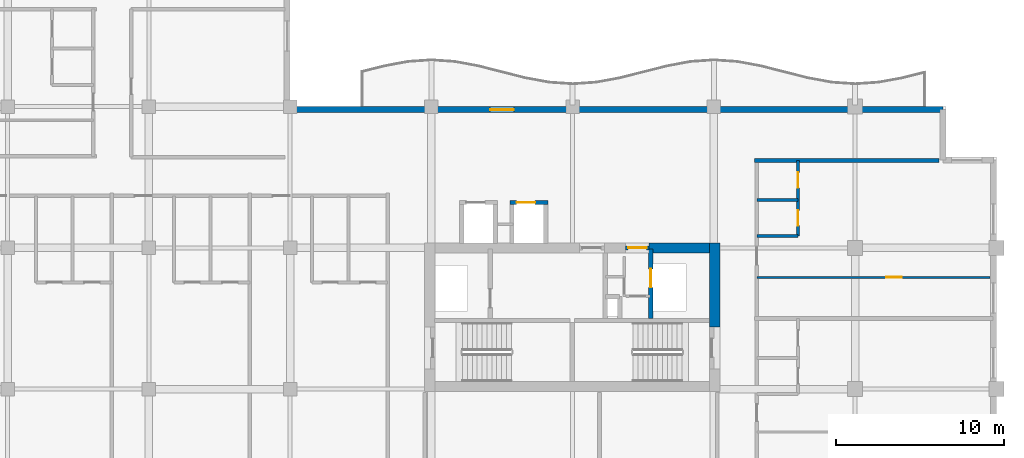
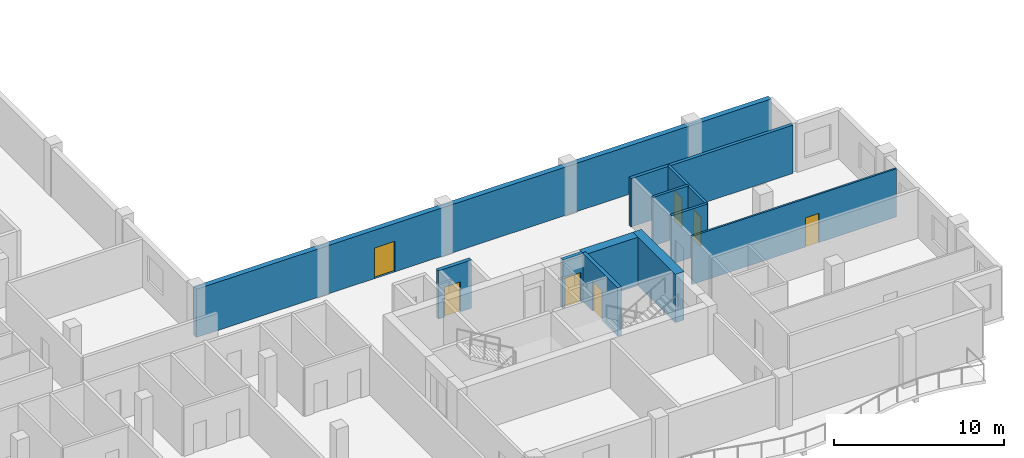
# One storey, part 8 of 16: 11 walls, 7 doors, 7 openings.
"""IFC4 building model written with IfcOpenShell, lengths in metres."""

import ifcopenshell
import ifcopenshell.guid

model = None  # the IFC model being written
_history = None  # IfcOwnerHistory: only IFC2X3 demands one
_inside = {}  # id of a spatial element -> (the spatial element, [elements in it])
_under = {}  # id of a project, library or spatial element -> (it, [spatial elements below it])
_declared = {}  # id of a project -> (the project, [libraries it declares])
_typed = {}  # id of a type object -> (the type object, [elements of that type])
_made_of = {}  # id of a material, layer set ... -> (it, [elements and type objects made of it])


def new_model(schema):
    """Start an empty IFC model of exactly this schema.

    Asked for "IFC4X3", IfcOpenShell would pick the latest addendum, in which some entities
    have other attributes; the version numbers below select the first issue.
    IFC2X3 requires an IfcOwnerHistory on every rooted entity: one is made here for all.
    """
    global model, _history
    if schema == "IFC4X3":
        model = ifcopenshell.file(schema_version=(4, 3, 0, 0))
    else:
        model = ifcopenshell.file(schema=schema)
    _inside.clear()
    _under.clear()
    _declared.clear()
    _typed.clear()
    _made_of.clear()
    _history = None
    if model.schema == "IFC2X3":
        org = make("IfcOrganization", Name="unknown")
        user = make(
            "IfcPersonAndOrganization",
            ThePerson=make("IfcPerson", FamilyName="unknown"),
            TheOrganization=org,
        )
        app = make(
            "IfcApplication",
            ApplicationDeveloper=org,
            Version="unknown",
            ApplicationFullName="unknown",
            ApplicationIdentifier="unknown",
        )
        _history = make(
            "IfcOwnerHistory",
            OwningUser=user,
            OwningApplication=app,
            ChangeAction="ADDED",
            CreationDate=0,
        )
    return model


def make(cls, **values):
    """One entity of the class cls with the attributes given. An attribute that is None is left unset."""
    return model.create_entity(
        cls, **{name: value for name, value in values.items() if value is not None}
    )


def rooted(cls, **values):
    """An entity with a GlobalId (a new one), such as an element, a storey or a relation."""
    return make(cls, GlobalId=ifcopenshell.guid.new(), OwnerHistory=_history, **values)


def si_unit(unit_type, name, prefix=None):
    """IfcSIUnit, for example si_unit("LENGTHUNIT", "METRE", prefix="MILLI")."""
    return make("IfcSIUnit", UnitType=unit_type, Prefix=prefix, Name=name)


def assignment(units):
    """IfcUnitAssignment: the units of a project."""
    return None if units is None else make("IfcUnitAssignment", Units=units)


def point(xyz):
    """IfcCartesianPoint."""
    return None if xyz is None else make("IfcCartesianPoint", Coordinates=xyz)


def direction(xyz):
    """IfcDirection."""
    return None if xyz is None else make("IfcDirection", DirectionRatios=xyz)


def frame(location, z_axis=None, x_axis=None):
    """IfcAxis2Placement3D, a coordinate frame: its origin and axes. An axis left out is left unset."""
    return make(
        "IfcAxis2Placement3D",
        Location=point(location),
        Axis=direction(z_axis),
        RefDirection=direction(x_axis),
    )


def frame_2d(location, x_axis=None):
    """IfcAxis2Placement2D, a coordinate frame in the plane: its origin and x axis."""
    return make(
        "IfcAxis2Placement2D", Location=point(location), RefDirection=direction(x_axis)
    )


def origin():
    """The frame at (0, 0, 0) with its axes left unset."""
    return frame((0.0, 0.0, 0.0))


def place(relative_to, where):
    """IfcLocalPlacement: puts the frame where relative to a parent placement (None: the world)."""
    return make(
        "IfcLocalPlacement", PlacementRelTo=relative_to, RelativePlacement=where
    )


def context(
    kind, dimensions, precision=None, world=None, true_north=None, identifier=None
):
    """IfcGeometricRepresentationContext, for example the 3D "Model" context."""
    return make(
        "IfcGeometricRepresentationContext",
        ContextIdentifier=identifier,
        ContextType=kind,
        CoordinateSpaceDimension=dimensions,
        Precision=precision,
        WorldCoordinateSystem=world,
        TrueNorth=true_north,
    )


def subcontext(parent, identifier, kind, view, scale=None):
    """IfcGeometricRepresentationSubContext, for example "Body" below "Model"."""
    return make(
        "IfcGeometricRepresentationSubContext",
        ContextIdentifier=identifier,
        ContextType=kind,
        ParentContext=parent,
        TargetScale=scale,
        TargetView=view,
    )


def project(units=None, contexts=None):
    """IfcProject with its units and contexts."""
    return rooted(
        "IfcProject",
        Name="project",
        RepresentationContexts=contexts,
        UnitsInContext=assignment(units),
    )


def spatial(cls, under=None, at=None, **own):
    """A site, building, storey or space (cls), placed at a placement, below another one or the project."""
    s = rooted(cls, ObjectPlacement=at, **own)
    if under is not None:
        _under.setdefault(under.id(), (under, []))[1].append(s)
    return s


def profile(cls, at=None, kind="AREA", **sizes):
    """A parametric profile (cls). Its sizes go by their IFC names, for example OverallWidth=200.0."""
    return make(cls, ProfileType=kind, Position=at, **sizes)


def rectangle(**sizes):
    """IfcRectangleProfileDef."""
    return profile("IfcRectangleProfileDef", **sizes)


def extrude(swept, where, along, depth):
    """IfcExtrudedAreaSolid: the profile swept, set in the frame where, extruded along a direction by depth."""
    return make(
        "IfcExtrudedAreaSolid",
        SweptArea=swept,
        Position=where,
        ExtrudedDirection=direction(along),
        Depth=depth,
    )


def shape(context_of_items, identifier, shape_type, items):
    """IfcShapeRepresentation: the items that make up one representation, for example the "Body"."""
    return make(
        "IfcShapeRepresentation",
        ContextOfItems=context_of_items,
        RepresentationIdentifier=identifier,
        RepresentationType=shape_type,
        Items=items,
    )


def material(Name=None, Category=None):
    """IfcMaterial."""
    return make("IfcMaterial", Name=Name, Category=Category)


def layer(
    of_material, thickness, ventilated=None, Name=None, Category=None, Priority=None
):
    """IfcMaterialLayer: one layer of a wall or slab, of a material (None: an air gap)."""
    return make(
        "IfcMaterialLayer",
        Material=of_material,
        LayerThickness=thickness,
        IsVentilated=ventilated,
        Name=Name,
        Category=Category,
        Priority=Priority,
    )


def layer_set(layers, Name=None):
    """IfcMaterialLayerSet."""
    return make("IfcMaterialLayerSet", MaterialLayers=layers, LayerSetName=Name)


def made_of(thing, what):
    """Note that an element or type object is made of a material, layer set ...; save() writes the relation."""
    if what is not None:
        _made_of.setdefault(what.id(), (what, []))[1].append(thing)
    return thing


def type_object(cls, material=None, **own):
    """A type object (cls), such as IfcWallType, which elements share."""
    return made_of(rooted(cls, **own), material)


def element(
    cls,
    number,
    at=None,
    inside=None,
    cuts=None,
    type_object=None,
    material=None,
    context=None,
    identifier="Body",
    shape_type=None,
    held_by="IfcProductDefinitionShape",
    body=None,
    shapes=None,
    **own,
):
    """One element of the class cls, such as IfcWall. Its Tag is "e" and its number.

    at: its placement. inside: the storey or other place that contains it. cuts: it is an
    opening in that element (IfcRelVoidsElement). A single representation is given by context,
    identifier, shape_type and body (its items); several are given by shapes. held_by: the class
    of the entity that holds the representations. save() writes the other relations.
    """
    e = rooted(cls, Tag="e%d" % number, ObjectPlacement=at, **own)
    if body is not None:
        shapes = [shape(context, identifier, shape_type, body)]
    if shapes is not None:
        e.Representation = make(held_by, Representations=shapes)
    if inside is not None:
        _inside.setdefault(inside.id(), (inside, []))[1].append(e)
    if cuts is not None:
        rooted(
            "IfcRelVoidsElement", RelatingBuildingElement=cuts, RelatedOpeningElement=e
        )
    if type_object is not None:
        _typed.setdefault(type_object.id(), (type_object, []))[1].append(e)
    return made_of(e, material)


def fill(opening, filler):
    """IfcRelFillsElement: the door or window that sits in an opening."""
    return rooted(
        "IfcRelFillsElement",
        RelatingOpeningElement=opening,
        RelatedBuildingElement=filler,
    )


def aggregate(whole, parts):
    """IfcRelAggregates: a whole, such as a stair, and the parts it consists of."""
    return rooted("IfcRelAggregates", RelatingObject=whole, RelatedObjects=parts)


def save(model, path):
    """Write the relations noted so far, then the file.

    IfcRelAggregates (storeys below a building ...), IfcRelContainedInSpatialStructure (elements
    in a storey), IfcRelDefinesByType, IfcRelAssociatesMaterial and IfcRelDeclares: one each for
    every whole, place, type object, material and project.
    """
    for whole, parts in _under.values():
        aggregate(whole, parts)
    for where, things in _inside.values():
        rooted(
            "IfcRelContainedInSpatialStructure",
            RelatedElements=things,
            RelatingStructure=where,
        )
    for kind, things in _typed.values():
        rooted("IfcRelDefinesByType", RelatedObjects=things, RelatingType=kind)
    for what, things in _made_of.values():
        rooted("IfcRelAssociatesMaterial", RelatedObjects=things, RelatingMaterial=what)
    for by, libraries in _declared.values():
        rooted("IfcRelDeclares", RelatingContext=by, RelatedDefinitions=libraries)
    model.write(path)


model = new_model("IFC4")

# Units and contexts
model_context = context("Model", 3, precision=1e-05, world=origin(), true_north=direction((0.0, 1.0)))
body_context = subcontext(model_context, "Body", "Model", "MODEL_VIEW")
ifc_project = project(units=[si_unit("LENGTHUNIT", "METRE"), si_unit("AREAUNIT", "SQUARE_METRE"), si_unit("VOLUMEUNIT", "CUBIC_METRE"), si_unit("PLANEANGLEUNIT", "RADIAN"), si_unit("MASSUNIT", "GRAM", prefix="KILO")], contexts=[model_context])

# Site, building, storey
site_placement = place(None, origin())
site = spatial("IfcSite", under=ifc_project, at=site_placement, CompositionType="ELEMENT")
building_placement = place(site_placement, origin())
building = spatial("IfcBuilding", under=site, at=building_placement, Name="Koriwani Terraces Tower", CompositionType="ELEMENT")
storey_placement = place(building_placement, frame((0.0, 0.0, 252.699951171875)))
storey = spatial("IfcBuildingStorey", under=building, at=storey_placement, Name="L62", CompositionType="ELEMENT", Elevation=252.699951171875)

# Walls
ifc_material_1 = material(Name="Concrete C60/75", Category="concrete")
ifc_layer_1 = layer(ifc_material_1, 0.60009765625, Name="Concrete C60/75")
ifc_layer_set_1 = layer_set([ifc_layer_1], Name="Concrete C60/75")
wall_type_1 = type_object("IfcWallType", Name="WALL_CORE_RC_600", PredefinedType="SHEAR", material=ifc_layer_set_1)
wall_1_placement = place(storey_placement, frame((58.85009765625, 20.5, 0.0), z_axis=(0.0, 0.0, 1.0), x_axis=(0.0, 1.0, 0.0)))
element("IfcWall", 1, at=wall_1_placement, inside=storey, type_object=wall_type_1, Name="L62 East Split Core Shear Wall E2", PredefinedType="SHEAR", context=body_context, shape_type="SweptSolid", body=[
    extrude(rectangle(XDim=5.0, YDim=0.60009765625, at=frame_2d((2.5, 0.0))), origin(), (0.0, 0.0, 1.0), 3.469970703125),
])
wall_2_placement = place(storey_placement, frame((54.949951171875, 25.199951171875, 0.0), z_axis=(0.0, 0.0, 1.0), x_axis=(1.0, 0.0, 0.0)))
element("IfcWall", 2, at=wall_2_placement, inside=storey, type_object=wall_type_1, Name="L62 East Split Core Shear Wall N3", PredefinedType="SHEAR", context=body_context, shape_type="SweptSolid", body=[
    extrude(rectangle(XDim=3.60009765625, YDim=0.60009765625, at=frame_2d((1.800048828125, 0.0))), origin(), (0.0, 0.0, 1.0), 3.469970703125),
])
ifc_material_2 = material(Name="Autoclaved Cellular Concrete Blockwork", Category="masonry")
ifc_layer_2 = layer(ifc_material_2, 0.219970703125, Name="Autoclaved Cellular Concrete Blockwork")
ifc_layer_set_2 = layer_set([ifc_layer_2], Name="Autoclaved Cellular Concrete Blockwork")
wall_type_2 = type_object("IfcWallType", Name="WALL_DEMISING_220", PredefinedType="PARTITIONING", material=ifc_layer_set_2)
wall_3_placement = place(storey_placement, frame((61.199951171875, 30.39990234375, 0.0), z_axis=(0.0, 0.0, 1.0), x_axis=(1.0, 0.0, 0.0)))
element("IfcWall", 3, at=wall_3_placement, inside=storey, type_object=wall_type_2, Name="L62 Interior Wall WRDEME-L62-ETE", PredefinedType="PARTITIONING", context=body_context, shape_type="SweptSolid", body=[
    extrude(rectangle(XDim=10.97998046875, YDim=0.219970703125, at=frame_2d((5.489990234375, 0.0))), origin(), (0.0, 0.0, 1.0), 3.469970703125),
])

# Wall, opening, door
ifc_material_3 = material(Name="Concrete C50/60", Category="concrete")
ifc_layer_3 = layer(ifc_material_3, 0.35009765625, Name="Concrete C50/60")
ifc_layer_set_3 = layer_set([ifc_layer_3], Name="Concrete C50/60")
wall_type_3 = type_object("IfcWallType", Name="WALL_EXT_BRUTALIST_350", PredefinedType="STANDARD", material=ifc_layer_set_3)
wall_4_placement = place(storey_placement, frame((33.425048828125, 33.425048828125, 0.0), z_axis=(0.0, 0.0, 1.0), x_axis=(1.0, 0.0, 0.0)))
wall_4 = element("IfcWall", 4, at=wall_4_placement, inside=storey, type_object=wall_type_3, Name="L62 Fair-Faced Brutalist Exterior Wall (NE)", PredefinedType="STANDARD", context=body_context, shape_type="SweptSolid", body=[
    extrude(rectangle(XDim=39.0, YDim=0.35009765625, at=frame_2d((19.5, 0.0))), origin(), (0.0, 0.0, 1.0), 3.469970703125),
])
opening_1_placement = place(wall_4_placement, frame((12.074951171875, 0.0, 0.0)))
opening_1 = element("IfcOpeningElement", 5, at=opening_1_placement, cuts=wall_4, Name="Opening D-09", PredefinedType="OPENING", context=body_context, shape_type="SweptSolid", body=[
    extrude(rectangle(XDim=1.39990234375, YDim=2.199951171875, at=frame_2d((0.699951171875, 1.10009765625))), frame((0.0, 0.18505859375, 0.0), z_axis=(0.0, -1.0, 0.0), x_axis=(1.0, 0.0, 0.0)), (0.0, 0.0, 1.0), 0.3701171875),
])
ifc_material_4 = material(Name="Anodised Bronze Aluminium", Category="aluminium")
door_type_1 = type_object("IfcDoorType", Name="DOOR_BALCONY_GLAZED_1400X2200", OperationType="NOTDEFINED", PredefinedType="DOOR", material=ifc_material_4)
door_1_placement = place(opening_1_placement, origin())
door_1 = element("IfcDoor", 6, at=door_1_placement, inside=storey, type_object=door_type_1, Name="L62 Inner Court Balcony Glazed Door", OperationType="SINGLE_SWING_LEFT", OverallHeight=2.199951171875, OverallWidth=1.39990234375, PredefinedType="DOOR", context=body_context, shape_type="SweptSolid", body=[
    extrude(rectangle(XDim=1.39990234375, YDim=2.199951171875, at=frame_2d((0.699951171875, 1.10009765625))), frame((0.0, 0.02490234375, 0.0), z_axis=(0.0, -1.0, 0.0), x_axis=(1.0, 0.0, 0.0)), (0.0, 0.0, 1.0), 0.050048828125),
])
fill(opening_1, door_1)

ifc_material_5 = material(Name="Fire-Rated Acoustic Gypsum Partition", Category="masonry")
ifc_layer_4 = layer(ifc_material_5, 0.125, Name="Fire-Rated Acoustic Gypsum Partition")
ifc_layer_set_4 = layer_set([ifc_layer_4], Name="Fire-Rated Acoustic Gypsum Partition")
wall_type_4 = type_object("IfcWallType", Name="WALL_INT_125", PredefinedType="PARTITIONING", material=ifc_layer_set_4)
wall_5_placement = place(storey_placement, frame((61.35009765625, 23.449951171875, 0.0), z_axis=(0.0, 0.0, 1.0), x_axis=(1.0, 0.0, 0.0)))
wall_5 = element("IfcWall", 7, at=wall_5_placement, inside=storey, type_object=wall_type_4, Name="L62 Interior Wall WRBED1-L62-ETE-1", PredefinedType="PARTITIONING", context=body_context, shape_type="SweptSolid", body=[
    extrude(rectangle(XDim=13.869873046875, YDim=0.125, at=frame_2d((6.93505859375, 0.0))), origin(), (0.0, 0.0, 1.0), 3.469970703125),
])
opening_2_placement = place(wall_5_placement, frame((7.699951171875, 0.0, 0.0)))
opening_2 = element("IfcOpeningElement", 8, at=opening_2_placement, cuts=wall_5, Name="Opening D-06", PredefinedType="OPENING", context=body_context, shape_type="SweptSolid", body=[
    extrude(rectangle(XDim=0.919921875, YDim=2.10009765625, at=frame_2d((0.4599609375, 1.050048828125))), frame((0.0, 0.072509765625, 0.0), z_axis=(0.0, -1.0, 0.0), x_axis=(1.0, 0.0, 0.0)), (0.0, 0.0, 1.0), 0.14501953125),
])
ifc_material_6 = material(Name="Architectural Oak Fire Door", Category="wood")
door_type_2 = type_object("IfcDoorType", Name="DOOR_ROOM_INT_920X2100", OperationType="NOTDEFINED", PredefinedType="DOOR", material=ifc_material_6)
door_2_placement = place(opening_2_placement, origin())
door_2 = element("IfcDoor", 9, at=door_2_placement, inside=storey, type_object=door_type_2, Name="Apartment 62ETE2 Master Bedroom Door", OperationType="SINGLE_SWING_RIGHT", OverallHeight=2.10009765625, OverallWidth=0.919921875, PredefinedType="DOOR", context=body_context, shape_type="SweptSolid", body=[
    extrude(rectangle(XDim=0.919921875, YDim=2.10009765625, at=frame_2d((0.4599609375, 1.050048828125))), frame((0.0, 0.02490234375, 0.0), z_axis=(0.0, -1.0, 0.0), x_axis=(1.0, 0.0, 0.0)), (0.0, 0.0, 1.0), 0.050048828125),
])
fill(opening_2, door_2)

# Wall, openings, doors
ifc_layer_5 = layer(ifc_material_5, 0.179931640625, Name="Fire-Rated Acoustic Gypsum Partition")
ifc_layer_set_5 = layer_set([ifc_layer_5], Name="Fire-Rated Acoustic Gypsum Partition")
wall_type_5 = type_object("IfcWallType", Name="WALL_PLUMBING_180", PredefinedType="PLUMBINGWALL", material=ifc_layer_set_5)
wall_6_placement = place(storey_placement, frame((63.800048828125, 25.89990234375, 0.0), z_axis=(0.0, 0.0, 1.0), x_axis=(0.0, 1.0, 0.0)))
wall_6 = element("IfcWall", 10, at=wall_6_placement, inside=storey, type_object=wall_type_5, Name="L62 Interior Wall WRSVC-L62-ETE-1", PredefinedType="PLUMBINGWALL", context=body_context, shape_type="SweptSolid", body=[
    extrude(rectangle(XDim=4.5, YDim=0.179931640625, at=frame_2d((2.25, 0.0))), origin(), (0.0, 0.0, 1.0), 3.469970703125),
])
opening_3_placement = place(wall_6_placement, frame((0.6298828125, 0.0, 0.0)))
opening_3 = element("IfcOpeningElement", 11, at=opening_3_placement, cuts=wall_6, Name="Opening D-07", PredefinedType="OPENING", context=body_context, shape_type="SweptSolid", body=[
    extrude(rectangle(XDim=0.89990234375, YDim=2.10009765625, at=frame_2d((0.449951171875, 1.050048828125))), frame((0.0, 0.10009765625, 0.0), z_axis=(0.0, -1.0, 0.0), x_axis=(1.0, 0.0, 0.0)), (0.0, 0.0, 1.0), 0.199951171875),
])
opening_4_placement = place(wall_6_placement, frame((2.8701171875, 0.0, 0.0)))
opening_4 = element("IfcOpeningElement", 12, at=opening_4_placement, cuts=wall_6, Name="Opening D-06", PredefinedType="OPENING", context=body_context, shape_type="SweptSolid", body=[
    extrude(rectangle(XDim=0.919921875, YDim=2.10009765625, at=frame_2d((0.4599609375, 1.050048828125))), frame((0.0, 0.10009765625, 0.0), z_axis=(0.0, -1.0, 0.0), x_axis=(1.0, 0.0, 0.0)), (0.0, 0.0, 1.0), 0.199951171875),
])
door_type_3 = type_object("IfcDoorType", Name="DOOR_BATH_INT_900X2100", OperationType="NOTDEFINED", PredefinedType="DOOR", material=ifc_material_6)
door_3_placement = place(opening_3_placement, origin())
door_3 = element("IfcDoor", 13, at=door_3_placement, inside=storey, type_object=door_type_3, Name="Apartment 62ETE2 Bathroom Door", OperationType="SINGLE_SWING_RIGHT", OverallHeight=2.10009765625, OverallWidth=0.89990234375, PredefinedType="DOOR", context=body_context, shape_type="SweptSolid", body=[
    extrude(rectangle(XDim=0.89990234375, YDim=2.10009765625, at=frame_2d((0.449951171875, 1.050048828125))), frame((0.0, 0.02490234375, 0.0), z_axis=(0.0, -1.0, 0.0), x_axis=(1.0, 0.0, 0.0)), (0.0, 0.0, 1.0), 0.050048828125),
])
fill(opening_3, door_3)
door_4_placement = place(opening_4_placement, origin())
door_4 = element("IfcDoor", 14, at=door_4_placement, inside=storey, type_object=door_type_2, Name="Apartment 62ETE2 Kitchen Door", OperationType="SINGLE_SWING_LEFT", OverallHeight=2.10009765625, OverallWidth=0.919921875, PredefinedType="DOOR", context=body_context, shape_type="SweptSolid", body=[
    extrude(rectangle(XDim=0.919921875, YDim=2.10009765625, at=frame_2d((0.4599609375, 1.050048828125))), frame((0.0, 0.02490234375, 0.0), z_axis=(0.0, -1.0, 0.0), x_axis=(1.0, 0.0, 0.0)), (0.0, 0.0, 1.0), 0.050048828125),
])
fill(opening_4, door_4)

# Walls
for number, where, z_axis, x_axis, name in (
    (15, (61.35009765625, 25.89990234375, 0.0), (0.0, 0.0, 1.0), (1.0, 0.0, 0.0), "L62 Interior Wall WRSVCS-L62-ETE-1"),
    (16, (61.35009765625, 28.06005859375, 0.0), (0.0, 0.0, 1.0), (1.0, 0.0, 0.0), "L62 Interior Wall WRSVCM-L62-ETE-1"),
):
    element("IfcWall", number, at=place(storey_placement, frame(where, z_axis=z_axis, x_axis=x_axis)), inside=storey, type_object=wall_type_5, Name=name, PredefinedType="PLUMBINGWALL", context=body_context, shape_type="SweptSolid", body=[
        extrude(rectangle(XDim=2.449951171875, YDim=0.179931640625, at=frame_2d((1.22509765625, 0.0))), origin(), (0.0, 0.0, 1.0), 3.469970703125),
    ])

# Wall, opening, door
ifc_material_7 = material(Name="Concrete C40/50", Category="concrete")
ifc_layer_6 = layer(ifc_material_7, 0.25, Name="Concrete C40/50")
ifc_layer_set_6 = layer_set([ifc_layer_6], Name="Concrete C40/50")
wall_type_6 = type_object("IfcWallType", Name="WALL_SHAFT_RATED_250", PredefinedType="SOLIDWALL", material=ifc_layer_set_6)
wall_7_placement = place(storey_placement, frame((55.050048828125, 21.0, 0.0), z_axis=(0.0, 0.0, 1.0), x_axis=(0.0, 1.0, 0.0)))
wall_7 = element("IfcWall", 17, at=wall_7_placement, inside=storey, type_object=wall_type_6, Name="L62 Interior Wall WIN-CE-L62-SE", PredefinedType="SOLIDWALL", context=body_context, shape_type="SweptSolid", body=[
    extrude(rectangle(XDim=4.14990234375, YDim=0.25, at=frame_2d((2.074951171875, 0.0))), origin(), (0.0, 0.0, 1.0), 3.469970703125),
])
opening_5_placement = place(wall_7_placement, frame((1.85009765625, 0.0, 0.0)))
opening_5 = element("IfcOpeningElement", 18, at=opening_5_placement, cuts=wall_7, Name="Opening LD-01", PredefinedType="OPENING", context=body_context, shape_type="SweptSolid", body=[
    extrude(rectangle(XDim=1.10009765625, YDim=2.14990234375, at=frame_2d((0.550048828125, 1.074951171875))), frame((0.0, 0.135009765625, 0.0), z_axis=(0.0, -1.0, 0.0), x_axis=(1.0, 0.0, 0.0)), (0.0, 0.0, 1.0), 0.27001953125),
])
ifc_material_8 = material(Name="Steel ASTM A572 Grade 50", Category="steel")
door_type_4 = type_object("IfcDoorType", Name="DOOR_LIFT_LANDING_1100X2200", OperationType="NOTDEFINED", PredefinedType="DOOR", material=ifc_material_8)
door_5_placement = place(opening_5_placement, origin())
door_5 = element("IfcDoor", 19, at=door_5_placement, inside=storey, type_object=door_type_4, Name="L62 Goods Lift SE-02 Landing Door", OperationType="SLIDING_TO_LEFT", OverallHeight=2.14990234375, OverallWidth=1.10009765625, PredefinedType="DOOR", context=body_context, shape_type="SweptSolid", body=[
    extrude(rectangle(XDim=1.10009765625, YDim=2.14990234375, at=frame_2d((0.550048828125, 1.074951171875))), frame((0.0, 0.02490234375, 0.0), z_axis=(0.0, -1.0, 0.0), x_axis=(1.0, 0.0, 0.0)), (0.0, 0.0, 1.0), 0.050048828125),
])
fill(opening_5, door_5)

wall_8_placement = place(storey_placement, frame((53.550048828125, 25.199951171875, 0.0), z_axis=(0.0, 0.0, 1.0), x_axis=(1.0, 0.0, 0.0)))
wall_8 = element("IfcWall", 20, at=wall_8_placement, inside=storey, type_object=wall_type_6, Name="L62 Interior Wall WIN-CE-L62-NP2", PredefinedType="SOLIDWALL", context=body_context, shape_type="SweptSolid", body=[
    extrude(rectangle(XDim=1.39990234375, YDim=0.25, at=frame_2d((0.699951171875, 0.0))), origin(), (0.0, 0.0, 1.0), 3.469970703125),
])
opening_6_placement = place(wall_8_placement, frame((0.14990234375, 0.0, 0.0)))
opening_6 = element("IfcOpeningElement", 21, at=opening_6_placement, cuts=wall_8, Name="Opening D-03", PredefinedType="OPENING", context=body_context, shape_type="SweptSolid", body=[
    extrude(rectangle(XDim=1.10009765625, YDim=2.14990234375, at=frame_2d((0.550048828125, 1.074951171875))), frame((0.0, 0.135009765625, 0.0), z_axis=(0.0, -1.0, 0.0), x_axis=(1.0, 0.0, 0.0)), (0.0, 0.0, 1.0), 0.27001953125),
])
door_type_5 = type_object("IfcDoorType", Name="DOOR_STAIR_FIRE_1100X2150", OperationType="NOTDEFINED", PredefinedType="DOOR", material=ifc_material_8)
door_6_placement = place(opening_6_placement, origin())
door_6 = element("IfcDoor", 22, at=door_6_placement, inside=storey, type_object=door_type_5, Name="L62 East Goods Lift Lobby Door", OperationType="SINGLE_SWING_RIGHT", OverallHeight=2.14990234375, OverallWidth=1.10009765625, PredefinedType="DOOR", context=body_context, shape_type="SweptSolid", body=[
    extrude(rectangle(XDim=1.10009765625, YDim=2.14990234375, at=frame_2d((0.550048828125, 1.074951171875))), frame((0.0, 0.02490234375, 0.0), z_axis=(0.0, -1.0, 0.0), x_axis=(1.0, 0.0, 0.0)), (0.0, 0.0, 1.0), 0.050048828125),
])
fill(opening_6, door_6)

wall_9_placement = place(storey_placement, frame((46.675048828125, 27.89990234375, 0.0), z_axis=(0.0, 0.0, 1.0), x_axis=(1.0, 0.0, 0.0)))
wall_9 = element("IfcWall", 23, at=wall_9_placement, inside=storey, type_object=wall_type_6, Name="L62 Interior Wall WIN-LF-PE-H4-L62-F", PredefinedType="SOLIDWALL", context=body_context, shape_type="SweptSolid", body=[
    extrude(rectangle(XDim=2.25, YDim=0.25, at=frame_2d((1.125, 0.0))), origin(), (0.0, 0.0, 1.0), 3.469970703125),
])
opening_7_placement = place(wall_9_placement, frame((0.39990234375, 0.0, 0.0)))
opening_7 = element("IfcOpeningElement", 24, at=opening_7_placement, cuts=wall_9, Name="Opening LD-01", PredefinedType="OPENING", context=body_context, shape_type="SweptSolid", body=[
    extrude(rectangle(XDim=1.10009765625, YDim=2.14990234375, at=frame_2d((0.550048828125, 1.074951171875))), frame((0.0, 0.135009765625, 0.0), z_axis=(0.0, -1.0, 0.0), x_axis=(1.0, 0.0, 0.0)), (0.0, 0.0, 1.0), 0.27001953125),
])
door_7_placement = place(opening_7_placement, origin())
door_7 = element("IfcDoor", 25, at=door_7_placement, inside=storey, type_object=door_type_4, Name="L62 Passenger Lift PE-H4 Landing Door", OperationType="SLIDING_TO_LEFT", OverallHeight=2.14990234375, OverallWidth=1.10009765625, PredefinedType="DOOR", context=body_context, shape_type="SweptSolid", body=[
    extrude(rectangle(XDim=1.10009765625, YDim=2.14990234375, at=frame_2d((0.550048828125, 1.074951171875))), frame((0.0, 0.02490234375, 0.0), z_axis=(0.0, -1.0, 0.0), x_axis=(1.0, 0.0, 0.0)), (0.0, 0.0, 1.0), 0.050048828125),
])
fill(opening_7, door_7)

save(model, "model.ifc")
